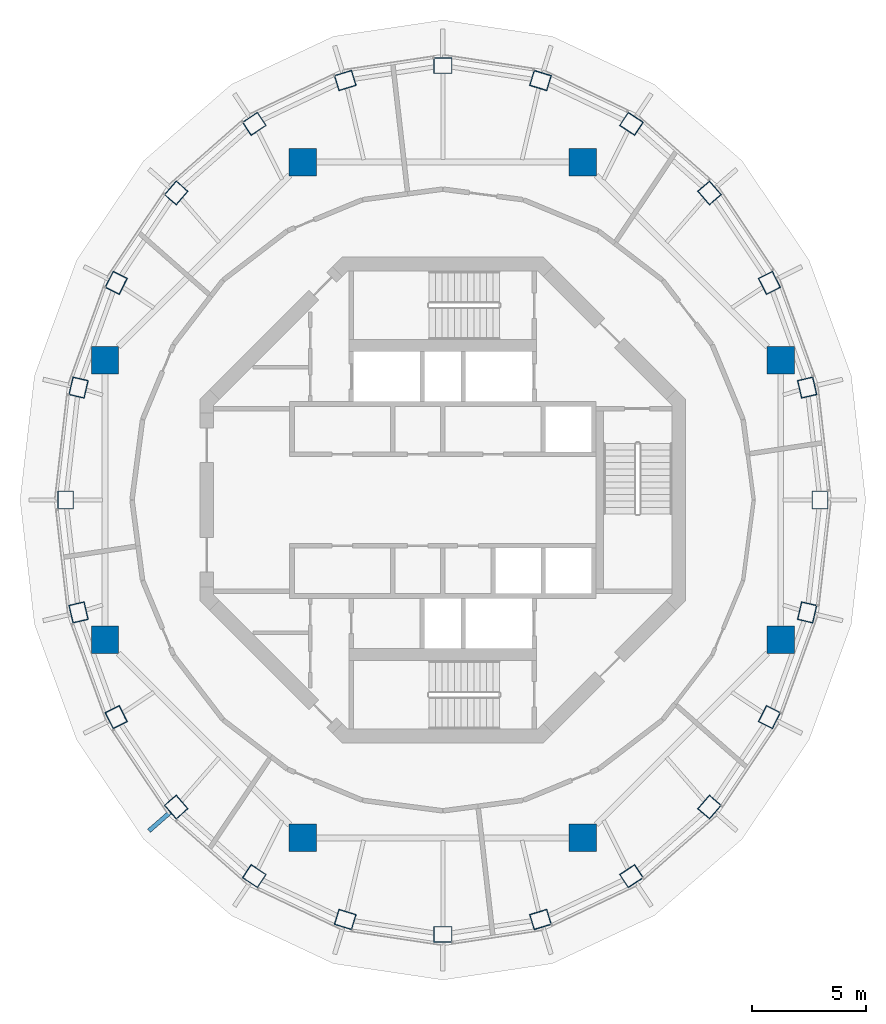
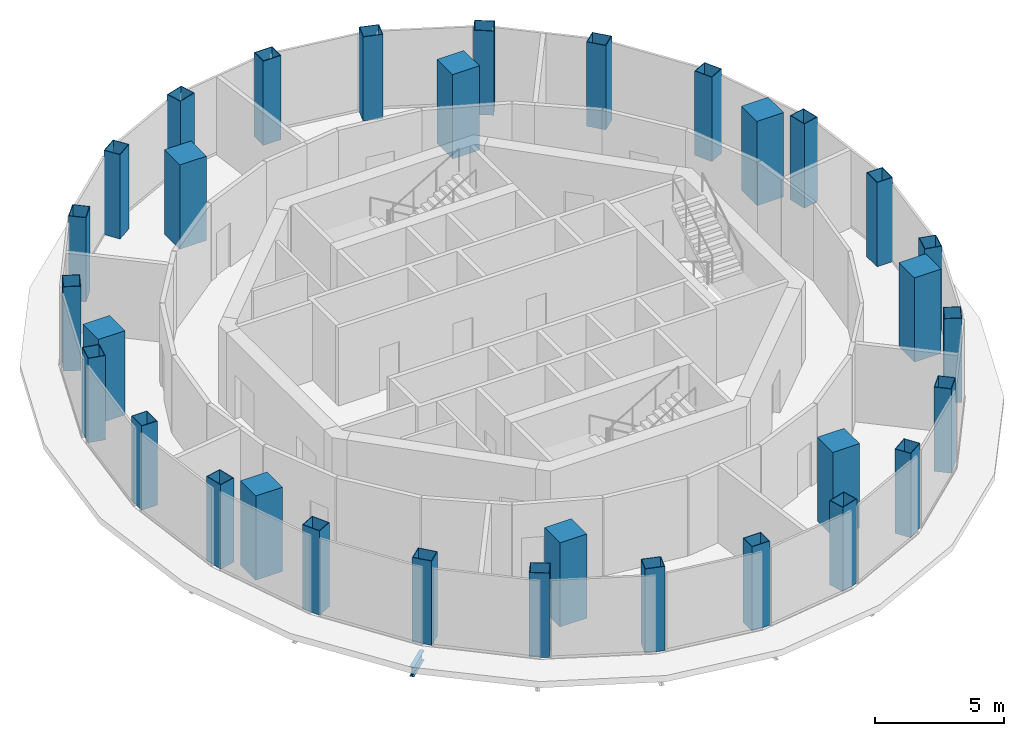
# One storey, part 1 of 11: 32 columns, 1 beam.
"""IFC4 building model written with IfcOpenShell, lengths in metres."""

from ifc_helpers import new_model, si_unit, direction, frame, origin, origin_2d, place, context, subcontext, project, spatial, rectangle, hollow_rectangle, i_section, extrude, material, material_profile, profile_set, type_object, element, save


model = new_model("IFC4")

# Units and contexts
model_context = context("Model", 3, precision=1e-05, world=origin(), true_north=direction((0.0, 1.0)))
body_context = subcontext(model_context, "Body", "Model", "MODEL_VIEW")
ifc_project = project(units=[si_unit("LENGTHUNIT", "METRE"), si_unit("AREAUNIT", "SQUARE_METRE"), si_unit("VOLUMEUNIT", "CUBIC_METRE"), si_unit("PLANEANGLEUNIT", "RADIAN"), si_unit("MASSUNIT", "GRAM", prefix="KILO")], contexts=[model_context])

# Site, building, storey
site_placement = place(None, origin())
site = spatial("IfcSite", under=ifc_project, at=site_placement, CompositionType="ELEMENT")
building_placement = place(site_placement, origin())
building = spatial("IfcBuilding", under=site, at=building_placement, Name="Nagisa Residences", CompositionType="ELEMENT")
storey_placement = place(building_placement, frame((0.0, 0.0, 324.89990234375)))
storey = spatial("IfcBuildingStorey", under=building, at=storey_placement, Name="L80", CompositionType="ELEMENT", Elevation=324.89990234375)

# Columns
ifc_material_1 = material(Name="Concrete C80", Category="concrete")
ifc_material_profile_1 = material_profile(ifc_material_1, rectangle(XDim=1.199951171875, YDim=1.199951171875, at=origin_2d()), Name="C80 1200x1200")
ifc_profile_set_1 = profile_set([ifc_material_profile_1], Name="Concrete C80")
column_type_1 = type_object("IfcColumnType", Name="Inner megacolumn C80 1200x1200", PredefinedType="COLUMN", material=ifc_profile_set_1)
for number, where, z_axis, x_axis, name in (
    (1, (14.781982421875, 6.123046875, 0.0), (0.0, 0.0, 1.0), (1.0, 0.0, 0.0), "col:L80:i1"),
    (2, (6.123046875, 14.781982421875, 0.0), (0.0, 0.0, 1.0), (1.0, 0.0, 0.0), "col:L80:i2"),
    (3, (-6.123046875, 14.781982421875, 0.0), (0.0, 0.0, 1.0), (1.0, 0.0, 0.0), "col:L80:i3"),
    (4, (-14.781982421875, 6.123046875, 0.0), (0.0, 0.0, 1.0), (1.0, 0.0, 0.0), "col:L80:i4"),
    (5, (-14.781982421875, -6.123046875, 0.0), (0.0, 0.0, 1.0), (1.0, 0.0, 0.0), "col:L80:i5"),
    (6, (-6.123046875, -14.781982421875, 0.0), (0.0, 0.0, 1.0), (1.0, 0.0, 0.0), "col:L80:i6"),
    (7, (6.123046875, -14.781982421875, 0.0), (0.0, 0.0, 1.0), (1.0, 0.0, 0.0), "col:L80:i7"),
    (8, (14.781982421875, -6.123046875, 0.0), (0.0, 0.0, 1.0), (1.0, 0.0, 0.0), "col:L80:i8"),
):
    element("IfcColumn", number, at=place(storey_placement, frame(where, z_axis=z_axis, x_axis=x_axis)), inside=storey, type_object=column_type_1, Name=name, PredefinedType="COLUMN", context=body_context, shape_type="SweptSolid", body=[
        extrude(rectangle(XDim=1.199951171875, YDim=1.199951171875, at=origin_2d()), origin(), (0.0, 0.0, 1.0), 4.0),
    ])
ifc_material_2 = material(Name="Steel ASTM A572 Gr 50", Category="steel")
ifc_material_profile_2 = material_profile(ifc_material_2, hollow_rectangle(XDim=0.800048828125, YDim=0.699951171875, WallThickness=0.02490234375, at=origin_2d()), Name="BX 800x700x25")
ifc_profile_set_2 = profile_set([ifc_material_profile_2], Name="Steel ASTM A572 Gr 50")
column_type_2 = type_object("IfcColumnType", Name="Perimeter column BX 800x700x25", PredefinedType="COLUMN", material=ifc_profile_set_2)
for number, where, z_axis, x_axis, name in (
    (9, (16.5, 0.0, 0.0), (0.0, 0.0, 1.0), (0.0, 1.0, 0.0), "col:L80:p00"),
    (10, (15.937744140625, 4.91748046875, 0.0), (0.0, 0.0, 1.0), (-0.227472858308, 0.973784421077, 0.0), "col:L80:p01"),
    (11, (14.289306640625, 9.5, 0.0), (0.0, 0.0, 1.0), (-0.449592304298, 0.893233877502, 0.0), "col:L80:p02"),
    (12, (11.667236328125, 13.43505859375, 0.0), (0.0, 0.0, 1.0), (-0.657135200433, 0.753772729907, 0.0), "col:L80:p03"),
    (13, (8.25, 16.45458984375, 0.0), (0.0, 0.0, 1.0), (-0.833744136063, 0.552150989839, 0.0), "col:L80:p04"),
    (14, (4.2705078125, 18.3525390625, 0.0), (0.0, 0.0, 1.0), (-0.955869996667, 0.293789975104, 0.0), "col:L80:p05"),
    (15, (0.0, 19.0, 0.0), (0.0, 0.0, 1.0), (-1.0, 0.0, 0.0), "col:L80:p06"),
    (16, (-4.2705078125, 18.3525390625, 0.0), (0.0, 0.0, 1.0), (-0.955869996667, -0.293789975104, 0.0), "col:L80:p07"),
    (17, (-8.25, 16.45458984375, 0.0), (0.0, 0.0, 1.0), (-0.833744136063, -0.552150989839, 0.0), "col:L80:p08"),
    (18, (-11.667236328125, 13.43505859375, 0.0), (0.0, 0.0, 1.0), (-0.657135200433, -0.753772729907, 0.0), "col:L80:p09"),
    (19, (-14.289306640625, 9.5, 0.0), (0.0, 0.0, 1.0), (-0.449592304298, -0.893233877502, 0.0), "col:L80:p10"),
    (20, (-15.937744140625, 4.91748046875, 0.0), (0.0, 0.0, 1.0), (-0.227472858308, -0.973784421077, 0.0), "col:L80:p11"),
    (21, (-16.5, 0.0, 0.0), (0.0, 0.0, 1.0), (0.0, -1.0, 0.0), "col:L80:p12"),
    (22, (-15.937744140625, -4.91748046875, 0.0), (0.0, 0.0, 1.0), (0.227472858308, -0.973784421077, 0.0), "col:L80:p13"),
    (23, (-14.289306640625, -9.5, 0.0), (0.0, 0.0, 1.0), (0.449592304298, -0.893233877502, 0.0), "col:L80:p14"),
    (24, (-11.667236328125, -13.43505859375, 0.0), (0.0, 0.0, 1.0), (0.657135200433, -0.753772729907, 0.0), "col:L80:p15"),
    (25, (-8.25, -16.45458984375, 0.0), (0.0, 0.0, 1.0), (0.833744136063, -0.552150989839, 0.0), "col:L80:p16"),
    (26, (-4.2705078125, -18.3525390625, 0.0), (0.0, 0.0, 1.0), (0.955869996667, -0.293789975104, 0.0), "col:L80:p17"),
    (27, (0.0, -19.0, 0.0), (0.0, 0.0, 1.0), (1.0, 0.0, 0.0), "col:L80:p18"),
    (28, (4.2705078125, -18.3525390625, 0.0), (0.0, 0.0, 1.0), (0.955869996667, 0.293789975104, 0.0), "col:L80:p19"),
    (29, (8.25, -16.45458984375, 0.0), (0.0, 0.0, 1.0), (0.833744136063, 0.552150989839, 0.0), "col:L80:p20"),
    (30, (11.667236328125, -13.43505859375, 0.0), (0.0, 0.0, 1.0), (0.657135200433, 0.753772729907, 0.0), "col:L80:p21"),
    (31, (14.289306640625, -9.5, 0.0), (0.0, 0.0, 1.0), (0.449592304298, 0.893233877502, 0.0), "col:L80:p22"),
    (32, (15.937744140625, -4.91748046875, 0.0), (0.0, 0.0, 1.0), (0.227472858308, 0.973784421077, 0.0), "col:L80:p23"),
):
    element("IfcColumn", number, at=place(storey_placement, frame(where, z_axis=z_axis, x_axis=x_axis)), inside=storey, type_object=column_type_2, Name=name, PredefinedType="COLUMN", context=body_context, shape_type="SweptSolid", body=[
        extrude(hollow_rectangle(XDim=0.800048828125, YDim=0.699951171875, WallThickness=0.02490234375, at=origin_2d()), origin(), (0.0, 0.0, 1.0), 4.0),
    ])

# Beam
ifc_material_3 = material(Name="Steel ASTM A572 Gr 50", Category="steel")
ifc_material_profile_3 = material_profile(ifc_material_3, i_section(OverallWidth=0.18994140625, OverallDepth=0.45703125, WebThickness=0.009033203125, FlangeThickness=0.014404296875, at=origin_2d()), Name="W460x74")
ifc_profile_set_3 = profile_set([ifc_material_profile_3], Name="Steel ASTM A572 Gr 50")
beam_type = type_object("IfcBeamType", Name="Lantern ring bracket W460x74", PredefinedType="BEAM", material=ifc_profile_set_3)
beam_placement = place(storey_placement, frame((-11.916015625, -13.65185546875, -0.5283203125), z_axis=(-0.753750379539, -0.65716083674, 0.0), x_axis=(0.65716083674, -0.753750379539, 0.0)))
element("IfcBeam", 33, at=beam_placement, inside=storey, type_object=beam_type, Name="beam:L80:cb16", PredefinedType="BEAM", context=body_context, shape_type="SweptSolid", body=[
    extrude(i_section(OverallWidth=0.18994140625, OverallDepth=0.45703125, WebThickness=0.009033203125, FlangeThickness=0.014404296875, at=origin_2d()), origin(), (0.0, 0.0, 1.0), 1.24853515625),
])

save(model, "model.ifc")
